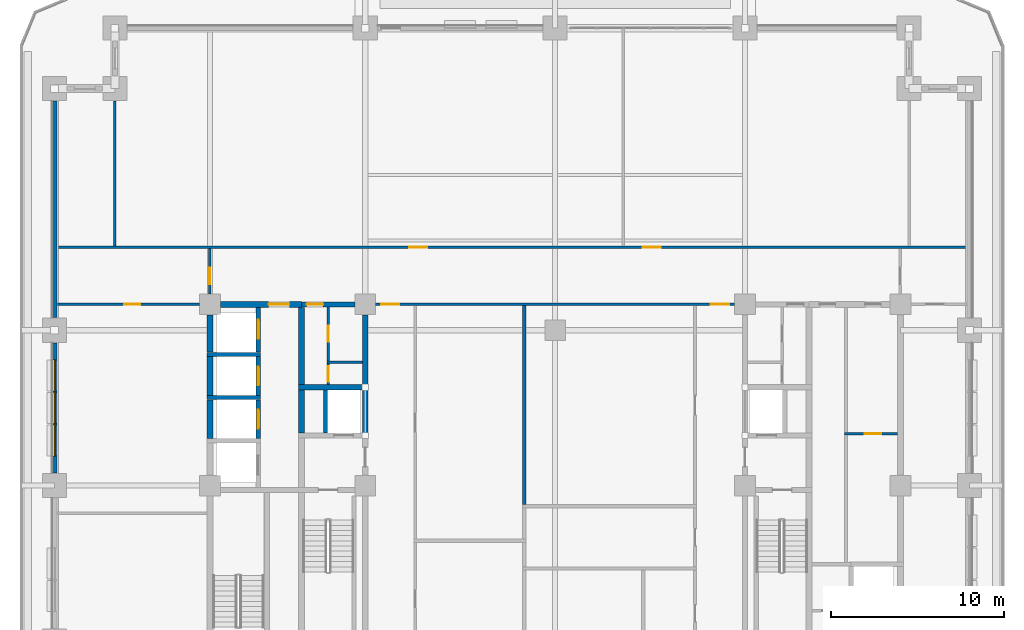
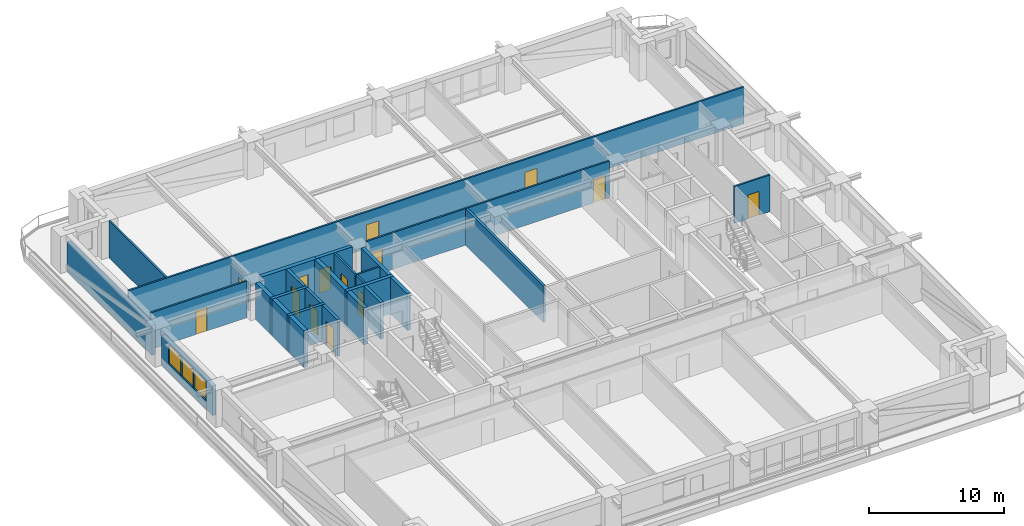
# One storey, part 10 of 20: 28 walls, 14 doors, 3 windows, 17 openings.
"""IFC4 building model written with IfcOpenShell, lengths in metres."""

import ifcopenshell
import ifcopenshell.guid

model = None  # the IFC model being written
_history = None  # IfcOwnerHistory: only IFC2X3 demands one
_inside = {}  # id of a spatial element -> (the spatial element, [elements in it])
_under = {}  # id of a project, library or spatial element -> (it, [spatial elements below it])
_declared = {}  # id of a project -> (the project, [libraries it declares])
_typed = {}  # id of a type object -> (the type object, [elements of that type])
_made_of = {}  # id of a material, layer set ... -> (it, [elements and type objects made of it])


def new_model(schema):
    """Start an empty IFC model of exactly this schema.

    Asked for "IFC4X3", IfcOpenShell would pick the latest addendum, in which some entities
    have other attributes; the version numbers below select the first issue.
    IFC2X3 requires an IfcOwnerHistory on every rooted entity: one is made here for all.
    """
    global model, _history
    if schema == "IFC4X3":
        model = ifcopenshell.file(schema_version=(4, 3, 0, 0))
    else:
        model = ifcopenshell.file(schema=schema)
    _inside.clear()
    _under.clear()
    _declared.clear()
    _typed.clear()
    _made_of.clear()
    _history = None
    if model.schema == "IFC2X3":
        org = make("IfcOrganization", Name="unknown")
        user = make(
            "IfcPersonAndOrganization",
            ThePerson=make("IfcPerson", FamilyName="unknown"),
            TheOrganization=org,
        )
        app = make(
            "IfcApplication",
            ApplicationDeveloper=org,
            Version="unknown",
            ApplicationFullName="unknown",
            ApplicationIdentifier="unknown",
        )
        _history = make(
            "IfcOwnerHistory",
            OwningUser=user,
            OwningApplication=app,
            ChangeAction="ADDED",
            CreationDate=0,
        )
    return model


def make(cls, **values):
    """One entity of the class cls with the attributes given. An attribute that is None is left unset."""
    return model.create_entity(
        cls, **{name: value for name, value in values.items() if value is not None}
    )


def rooted(cls, **values):
    """An entity with a GlobalId (a new one), such as an element, a storey or a relation."""
    return make(cls, GlobalId=ifcopenshell.guid.new(), OwnerHistory=_history, **values)


def si_unit(unit_type, name, prefix=None):
    """IfcSIUnit, for example si_unit("LENGTHUNIT", "METRE", prefix="MILLI")."""
    return make("IfcSIUnit", UnitType=unit_type, Prefix=prefix, Name=name)


def assignment(units):
    """IfcUnitAssignment: the units of a project."""
    return None if units is None else make("IfcUnitAssignment", Units=units)


def point(xyz):
    """IfcCartesianPoint."""
    return None if xyz is None else make("IfcCartesianPoint", Coordinates=xyz)


def direction(xyz):
    """IfcDirection."""
    return None if xyz is None else make("IfcDirection", DirectionRatios=xyz)


def frame(location, z_axis=None, x_axis=None):
    """IfcAxis2Placement3D, a coordinate frame: its origin and axes. An axis left out is left unset."""
    return make(
        "IfcAxis2Placement3D",
        Location=point(location),
        Axis=direction(z_axis),
        RefDirection=direction(x_axis),
    )


def frame_2d(location, x_axis=None):
    """IfcAxis2Placement2D, a coordinate frame in the plane: its origin and x axis."""
    return make(
        "IfcAxis2Placement2D", Location=point(location), RefDirection=direction(x_axis)
    )


def origin():
    """The frame at (0, 0, 0) with its axes left unset."""
    return frame((0.0, 0.0, 0.0))


def place(relative_to, where):
    """IfcLocalPlacement: puts the frame where relative to a parent placement (None: the world)."""
    return make(
        "IfcLocalPlacement", PlacementRelTo=relative_to, RelativePlacement=where
    )


def context(
    kind, dimensions, precision=None, world=None, true_north=None, identifier=None
):
    """IfcGeometricRepresentationContext, for example the 3D "Model" context."""
    return make(
        "IfcGeometricRepresentationContext",
        ContextIdentifier=identifier,
        ContextType=kind,
        CoordinateSpaceDimension=dimensions,
        Precision=precision,
        WorldCoordinateSystem=world,
        TrueNorth=true_north,
    )


def subcontext(parent, identifier, kind, view, scale=None):
    """IfcGeometricRepresentationSubContext, for example "Body" below "Model"."""
    return make(
        "IfcGeometricRepresentationSubContext",
        ContextIdentifier=identifier,
        ContextType=kind,
        ParentContext=parent,
        TargetScale=scale,
        TargetView=view,
    )


def project(units=None, contexts=None):
    """IfcProject with its units and contexts."""
    return rooted(
        "IfcProject",
        Name="project",
        RepresentationContexts=contexts,
        UnitsInContext=assignment(units),
    )


def spatial(cls, under=None, at=None, **own):
    """A site, building, storey or space (cls), placed at a placement, below another one or the project."""
    s = rooted(cls, ObjectPlacement=at, **own)
    if under is not None:
        _under.setdefault(under.id(), (under, []))[1].append(s)
    return s


def profile(cls, at=None, kind="AREA", **sizes):
    """A parametric profile (cls). Its sizes go by their IFC names, for example OverallWidth=200.0."""
    return make(cls, ProfileType=kind, Position=at, **sizes)


def rectangle(**sizes):
    """IfcRectangleProfileDef."""
    return profile("IfcRectangleProfileDef", **sizes)


def extrude(swept, where, along, depth):
    """IfcExtrudedAreaSolid: the profile swept, set in the frame where, extruded along a direction by depth."""
    return make(
        "IfcExtrudedAreaSolid",
        SweptArea=swept,
        Position=where,
        ExtrudedDirection=direction(along),
        Depth=depth,
    )


def shape(context_of_items, identifier, shape_type, items):
    """IfcShapeRepresentation: the items that make up one representation, for example the "Body"."""
    return make(
        "IfcShapeRepresentation",
        ContextOfItems=context_of_items,
        RepresentationIdentifier=identifier,
        RepresentationType=shape_type,
        Items=items,
    )


def material(Name=None, Category=None):
    """IfcMaterial."""
    return make("IfcMaterial", Name=Name, Category=Category)


def layer(
    of_material, thickness, ventilated=None, Name=None, Category=None, Priority=None
):
    """IfcMaterialLayer: one layer of a wall or slab, of a material (None: an air gap)."""
    return make(
        "IfcMaterialLayer",
        Material=of_material,
        LayerThickness=thickness,
        IsVentilated=ventilated,
        Name=Name,
        Category=Category,
        Priority=Priority,
    )


def layer_set(layers, Name=None):
    """IfcMaterialLayerSet."""
    return make("IfcMaterialLayerSet", MaterialLayers=layers, LayerSetName=Name)


def made_of(thing, what):
    """Note that an element or type object is made of a material, layer set ...; save() writes the relation."""
    if what is not None:
        _made_of.setdefault(what.id(), (what, []))[1].append(thing)
    return thing


def type_object(cls, material=None, **own):
    """A type object (cls), such as IfcWallType, which elements share."""
    return made_of(rooted(cls, **own), material)


def element(
    cls,
    number,
    at=None,
    inside=None,
    cuts=None,
    type_object=None,
    material=None,
    context=None,
    identifier="Body",
    shape_type=None,
    held_by="IfcProductDefinitionShape",
    body=None,
    shapes=None,
    **own,
):
    """One element of the class cls, such as IfcWall. Its Tag is "e" and its number.

    at: its placement. inside: the storey or other place that contains it. cuts: it is an
    opening in that element (IfcRelVoidsElement). A single representation is given by context,
    identifier, shape_type and body (its items); several are given by shapes. held_by: the class
    of the entity that holds the representations. save() writes the other relations.
    """
    e = rooted(cls, Tag="e%d" % number, ObjectPlacement=at, **own)
    if body is not None:
        shapes = [shape(context, identifier, shape_type, body)]
    if shapes is not None:
        e.Representation = make(held_by, Representations=shapes)
    if inside is not None:
        _inside.setdefault(inside.id(), (inside, []))[1].append(e)
    if cuts is not None:
        rooted(
            "IfcRelVoidsElement", RelatingBuildingElement=cuts, RelatedOpeningElement=e
        )
    if type_object is not None:
        _typed.setdefault(type_object.id(), (type_object, []))[1].append(e)
    return made_of(e, material)


def fill(opening, filler):
    """IfcRelFillsElement: the door or window that sits in an opening."""
    return rooted(
        "IfcRelFillsElement",
        RelatingOpeningElement=opening,
        RelatedBuildingElement=filler,
    )


def aggregate(whole, parts):
    """IfcRelAggregates: a whole, such as a stair, and the parts it consists of."""
    return rooted("IfcRelAggregates", RelatingObject=whole, RelatedObjects=parts)


def save(model, path):
    """Write the relations noted so far, then the file.

    IfcRelAggregates (storeys below a building ...), IfcRelContainedInSpatialStructure (elements
    in a storey), IfcRelDefinesByType, IfcRelAssociatesMaterial and IfcRelDeclares: one each for
    every whole, place, type object, material and project.
    """
    for whole, parts in _under.values():
        aggregate(whole, parts)
    for where, things in _inside.values():
        rooted(
            "IfcRelContainedInSpatialStructure",
            RelatedElements=things,
            RelatingStructure=where,
        )
    for kind, things in _typed.values():
        rooted("IfcRelDefinesByType", RelatedObjects=things, RelatingType=kind)
    for what, things in _made_of.values():
        rooted("IfcRelAssociatesMaterial", RelatedObjects=things, RelatingMaterial=what)
    for by, libraries in _declared.values():
        rooted("IfcRelDeclares", RelatingContext=by, RelatedDefinitions=libraries)
    model.write(path)


model = new_model("IFC4")

# Units and contexts
model_context = context("Model", 3, precision=1e-05, world=origin(), true_north=direction((0.0, 1.0)))
body_context = subcontext(model_context, "Body", "Model", "MODEL_VIEW")
ifc_project = project(units=[si_unit("LENGTHUNIT", "METRE"), si_unit("AREAUNIT", "SQUARE_METRE"), si_unit("VOLUMEUNIT", "CUBIC_METRE"), si_unit("PLANEANGLEUNIT", "RADIAN"), si_unit("MASSUNIT", "GRAM", prefix="KILO")], contexts=[model_context])

# Site, building, storey
site_placement = place(None, origin())
site = spatial("IfcSite", under=ifc_project, at=site_placement, CompositionType="ELEMENT")
building_placement = place(site_placement, origin())
building = spatial("IfcBuilding", under=site, at=building_placement, Name="Zulmaris Gate Convention Tower", CompositionType="ELEMENT")
storey_placement = place(building_placement, frame((0.0, 0.0, 71.469970703125)))
storey = spatial("IfcBuildingStorey", under=building, at=storey_placement, Name="L17", CompositionType="ELEMENT", Elevation=71.469970703125)

# Walls
ifc_material_1 = material(Name="Concrete C50/60", Category="concrete")
ifc_layer_1 = layer(ifc_material_1, 0.25, Name="Concrete C50/60")
ifc_layer_set_1 = layer_set([ifc_layer_1], Name="Concrete C50/60")
wall_type_1 = type_object("IfcWallType", Name="CORE-250", PredefinedType="SOLIDWALL", material=ifc_layer_set_1)
for number, where, z_axis, x_axis, name in (
    (1, (-20.175048828125, 5.10009765625, 0.0), (0.0, 0.0, 1.0), (1.0, 0.0, 0.0), "WL-L17-012"),
    (2, (-20.175048828125, 7.60009765625, 0.0), (0.0, 0.0, 1.0), (1.0, 0.0, 0.0), "WL-L17-015"),
):
    element("IfcWall", number, at=place(storey_placement, frame(where, z_axis=z_axis, x_axis=x_axis)), inside=storey, type_object=wall_type_1, Name=name, PredefinedType="SOLIDWALL", context=body_context, shape_type="SweptSolid", body=[
        extrude(rectangle(XDim=3.10009765625, YDim=0.25, at=frame_2d((1.550048828125, 0.0))), origin(), (0.0, 0.0, 1.0), 3.320068359375),
    ])

# Wall, opening, door
wall_1_placement = place(storey_placement, frame((-17.199951171875, 2.72705078125, 0.0), z_axis=(0.0, 0.0, 1.0), x_axis=(0.0, 1.0, 0.0)))
wall_1 = element("IfcWall", 3, at=wall_1_placement, inside=storey, type_object=wall_type_1, Name="WL-L17-043", PredefinedType="SOLIDWALL", context=body_context, shape_type="SweptSolid", body=[
    extrude(rectangle(XDim=2.245849609375, YDim=0.25, at=frame_2d((1.123046875, 0.0))), origin(), (0.0, 0.0, 1.0), 3.320068359375),
])
opening_1_placement = place(wall_1_placement, frame((0.572998046875, 0.0, 0.0)))
opening_1 = element("IfcOpeningElement", 4, at=opening_1_placement, cuts=wall_1, Name="Opening D-06", PredefinedType="OPENING", context=body_context, shape_type="SweptSolid", body=[
    extrude(rectangle(XDim=1.10009765625, YDim=2.199951171875, at=frame_2d((0.550048828125, 1.10009765625))), frame((0.0, 0.135009765625, 0.0), z_axis=(0.0, -1.0, 0.0), x_axis=(1.0, 0.0, 0.0)), (0.0, 0.0, 1.0), 0.27001953125),
])
ifc_material_2 = material(Name="Brushed Stainless Steel", Category="steel")
door_type_1 = type_object("IfcDoorType", Name="LD-1100", OperationType="NOTDEFINED", PredefinedType="DOOR", material=ifc_material_2)
door_1_placement = place(opening_1_placement, origin())
door_1 = element("IfcDoor", 5, at=door_1_placement, inside=storey, type_object=door_type_1, Name="L17 Lift Landing Door LP-02 16", OperationType="SLIDING_TO_LEFT", OverallHeight=2.199951171875, OverallWidth=1.10009765625, PredefinedType="DOOR", context=body_context, shape_type="SweptSolid", body=[
    extrude(rectangle(XDim=1.10009765625, YDim=2.199951171875, at=frame_2d((0.550048828125, 1.10009765625))), frame((0.0, 0.02490234375, 0.0), z_axis=(0.0, -1.0, 0.0), x_axis=(1.0, 0.0, 0.0)), (0.0, 0.0, 1.0), 0.050048828125),
])
fill(opening_1, door_1)

wall_2_placement = place(storey_placement, frame((-17.199951171875, 5.22705078125, 0.0), z_axis=(0.0, 0.0, 1.0), x_axis=(0.0, 1.0, 0.0)))
wall_2 = element("IfcWall", 6, at=wall_2_placement, inside=storey, type_object=wall_type_1, Name="WL-L17-044", PredefinedType="SOLIDWALL", context=body_context, shape_type="SweptSolid", body=[
    extrude(rectangle(XDim=2.245849609375, YDim=0.25, at=frame_2d((1.123046875, 0.0))), origin(), (0.0, 0.0, 1.0), 3.320068359375),
])
opening_2_placement = place(wall_2_placement, frame((0.572998046875, 0.0, 0.0)))
opening_2 = element("IfcOpeningElement", 7, at=opening_2_placement, cuts=wall_2, Name="Opening D-06", PredefinedType="OPENING", context=body_context, shape_type="SweptSolid", body=[
    extrude(rectangle(XDim=1.10009765625, YDim=2.199951171875, at=frame_2d((0.550048828125, 1.10009765625))), frame((0.0, 0.135009765625, 0.0), z_axis=(0.0, -1.0, 0.0), x_axis=(1.0, 0.0, 0.0)), (0.0, 0.0, 1.0), 0.27001953125),
])
door_2_placement = place(opening_2_placement, origin())
door_2 = element("IfcDoor", 8, at=door_2_placement, inside=storey, type_object=door_type_1, Name="L17 Lift Landing Door LP-03 17", OperationType="SLIDING_TO_LEFT", OverallHeight=2.199951171875, OverallWidth=1.10009765625, PredefinedType="DOOR", context=body_context, shape_type="SweptSolid", body=[
    extrude(rectangle(XDim=1.10009765625, YDim=2.199951171875, at=frame_2d((0.550048828125, 1.10009765625))), frame((0.0, 0.02490234375, 0.0), z_axis=(0.0, -1.0, 0.0), x_axis=(1.0, 0.0, 0.0)), (0.0, 0.0, 1.0), 0.050048828125),
])
fill(opening_2, door_2)

wall_3_placement = place(storey_placement, frame((-17.199951171875, 7.72705078125, 0.0), z_axis=(0.0, 0.0, 1.0), x_axis=(0.0, 1.0, 0.0)))
wall_3 = element("IfcWall", 9, at=wall_3_placement, inside=storey, type_object=wall_type_1, Name="WL-L17-045", PredefinedType="SOLIDWALL", context=body_context, shape_type="SweptSolid", body=[
    extrude(rectangle(XDim=2.595947265625, YDim=0.25, at=frame_2d((1.2978515625, 0.0))), origin(), (0.0, 0.0, 1.0), 3.320068359375),
])
opening_3_placement = place(wall_3_placement, frame((0.77294921875, 0.0, 0.0)))
opening_3 = element("IfcOpeningElement", 10, at=opening_3_placement, cuts=wall_3, Name="Opening D-06", PredefinedType="OPENING", context=body_context, shape_type="SweptSolid", body=[
    extrude(rectangle(XDim=1.10009765625, YDim=2.199951171875, at=frame_2d((0.550048828125, 1.10009765625))), frame((0.0, 0.135009765625, 0.0), z_axis=(0.0, -1.0, 0.0), x_axis=(1.0, 0.0, 0.0)), (0.0, 0.0, 1.0), 0.27001953125),
])
door_3_placement = place(opening_3_placement, origin())
door_3 = element("IfcDoor", 11, at=door_3_placement, inside=storey, type_object=door_type_1, Name="L17 Lift Landing Door LP-04 18", OperationType="SLIDING_TO_LEFT", OverallHeight=2.199951171875, OverallWidth=1.10009765625, PredefinedType="DOOR", context=body_context, shape_type="SweptSolid", body=[
    extrude(rectangle(XDim=1.10009765625, YDim=2.199951171875, at=frame_2d((0.550048828125, 1.10009765625))), frame((0.0, 0.02490234375, 0.0), z_axis=(0.0, -1.0, 0.0), x_axis=(1.0, 0.0, 0.0)), (0.0, 0.0, 1.0), 0.050048828125),
])
fill(opening_3, door_3)

# Walls
wall_4_placement = place(storey_placement, frame((-13.300048828125, 3.052001953125, 0.0), z_axis=(0.0, 0.0, 1.0), x_axis=(0.0, 1.0, 0.0)))
element("IfcWall", 12, at=wall_4_placement, inside=storey, type_object=wall_type_1, Name="WL-L17-051", PredefinedType="SOLIDWALL", context=body_context, shape_type="SweptSolid", body=[
    extrude(rectangle(XDim=2.49609375, YDim=0.25, at=frame_2d((1.248046875, 0.0))), origin(), (0.0, 0.0, 1.0), 3.320068359375),
])
ifc_layer_2 = layer(ifc_material_1, 0.300048828125, Name="Concrete C50/60")
ifc_layer_set_2 = layer_set([ifc_layer_2], Name="Concrete C50/60")
wall_type_2 = type_object("IfcWallType", Name="CORE-300", PredefinedType="SHEAR", material=ifc_layer_set_2)
wall_5_placement = place(storey_placement, frame((-14.875, 5.699951171875, 0.0), z_axis=(0.0, 0.0, 1.0), x_axis=(1.0, 0.0, 0.0)))
element("IfcWall", 13, at=wall_5_placement, inside=storey, type_object=wall_type_2, Name="WL-L17-013", PredefinedType="SHEAR", context=body_context, shape_type="SweptSolid", body=[
    extrude(rectangle(XDim=4.02490234375, YDim=0.300048828125, at=frame_2d((2.012451171875, 0.0))), origin(), (0.0, 0.0, 1.0), 3.320068359375),
])

# Wall, opening, door
wall_6_placement = place(storey_placement, frame((-14.699951171875, 10.5, 0.0), z_axis=(0.0, 0.0, 1.0), x_axis=(1.0, 0.0, 0.0)))
wall_6 = element("IfcWall", 14, at=wall_6_placement, inside=storey, type_object=wall_type_2, Name="WL-L17-017", PredefinedType="SHEAR", context=body_context, shape_type="SweptSolid", body=[
    extrude(rectangle(XDim=3.095947265625, YDim=0.300048828125, at=frame_2d((1.5478515625, 0.0))), origin(), (0.0, 0.0, 1.0), 3.320068359375),
])
opening_4_placement = place(wall_6_placement, frame((0.304931640625, 0.0, 0.0)))
opening_4 = element("IfcOpeningElement", 15, at=opening_4_placement, cuts=wall_6, Name="Opening D-11", PredefinedType="OPENING", context=body_context, shape_type="SweptSolid", body=[
    extrude(rectangle(XDim=0.949951171875, YDim=2.14990234375, at=frame_2d((0.47509765625, 1.074951171875))), frame((0.0, 0.16015625, 0.0), z_axis=(0.0, -1.0, 0.0), x_axis=(1.0, 0.0, 0.0)), (0.0, 0.0, 1.0), 0.320068359375),
])
ifc_material_3 = material(Name="Fire-Rated Timber", Category="wood")
door_type_2 = type_object("IfcDoorType", Name="DR-950-FD", OperationType="NOTDEFINED", PredefinedType="DOOR", material=ifc_material_3)
door_4_placement = place(opening_4_placement, origin())
door_4 = element("IfcDoor", 16, at=door_4_placement, inside=storey, type_object=door_type_2, Name="L17 Core West Passage Door 07", OperationType="SINGLE_SWING_RIGHT", OverallHeight=2.14990234375, OverallWidth=0.949951171875, PredefinedType="DOOR", context=body_context, shape_type="SweptSolid", body=[
    extrude(rectangle(XDim=0.949951171875, YDim=2.14990234375, at=frame_2d((0.47509765625, 1.074951171875))), frame((0.0, 0.02490234375, 0.0), z_axis=(0.0, -1.0, 0.0), x_axis=(1.0, 0.0, 0.0)), (0.0, 0.0, 1.0), 0.050048828125),
])
fill(opening_4, door_4)

# Walls
wall_7_placement = place(storey_placement, frame((-11.0, 3.052001953125, 0.0), z_axis=(0.0, 0.0, 1.0), x_axis=(0.0, 1.0, 0.0)))
element("IfcWall", 17, at=wall_7_placement, inside=storey, type_object=wall_type_2, Name="WL-L17-055", PredefinedType="SHEAR", context=body_context, shape_type="SweptSolid", body=[
    extrude(rectangle(XDim=2.49609375, YDim=0.300048828125, at=frame_2d((1.248046875, 0.0))), origin(), (0.0, 0.0, 1.0), 3.320068359375),
])
wall_8_placement = place(storey_placement, frame((-11.0, 5.85205078125, 0.0), z_axis=(0.0, 0.0, 1.0), x_axis=(0.0, 1.0, 0.0)))
element("IfcWall", 18, at=wall_8_placement, inside=storey, type_object=wall_type_2, Name="WL-L17-056", PredefinedType="SHEAR", context=body_context, shape_type="SweptSolid", body=[
    extrude(rectangle(XDim=4.0439453125, YDim=0.300048828125, at=frame_2d((2.02197265625, 0.0))), origin(), (0.0, 0.0, 1.0), 3.320068359375),
])

# Wall, opening, door
ifc_material_4 = material(Name="Concrete C55/67", Category="concrete")
ifc_layer_3 = layer(ifc_material_4, 0.35009765625, Name="Concrete C55/67")
ifc_layer_set_3 = layer_set([ifc_layer_3], Name="Concrete C55/67")
wall_type_3 = type_object("IfcWallType", Name="CORE-350", PredefinedType="SHEAR", material=ifc_layer_set_3)
wall_9_placement = place(storey_placement, frame((-19.39599609375, 10.5, 0.0), z_axis=(0.0, 0.0, 1.0), x_axis=(1.0, 0.0, 0.0)))
wall_9 = element("IfcWall", 19, at=wall_9_placement, inside=storey, type_object=wall_type_3, Name="WL-L17-016", PredefinedType="SHEAR", context=body_context, shape_type="SweptSolid", body=[
    extrude(rectangle(XDim=4.696044921875, YDim=0.35009765625, at=frame_2d((2.34814453125, 0.0))), origin(), (0.0, 0.0, 1.0), 3.320068359375),
])
opening_5_placement = place(wall_9_placement, frame((2.7958984375, 0.0, 0.0)))
opening_5 = element("IfcOpeningElement", 20, at=opening_5_placement, cuts=wall_9, Name="Opening D-13", PredefinedType="OPENING", context=body_context, shape_type="SweptSolid", body=[
    extrude(rectangle(XDim=1.199951171875, YDim=2.14990234375, at=frame_2d((0.60009765625, 1.074951171875))), frame((0.0, 0.18505859375, 0.0), z_axis=(0.0, -1.0, 0.0), x_axis=(1.0, 0.0, 0.0)), (0.0, 0.0, 1.0), 0.3701171875),
])
ifc_material_5 = material(Name="Fire-Rated Steel", Category="steel")
door_type_3 = type_object("IfcDoorType", Name="DR-1200-FD", OperationType="NOTDEFINED", PredefinedType="DOOR", material=ifc_material_5)
door_5_placement = place(opening_5_placement, origin())
door_5 = element("IfcDoor", 21, at=door_5_placement, inside=storey, type_object=door_type_3, Name="L17 Low-Rise Lift Lobby Door 14", OperationType="SINGLE_SWING_LEFT", OverallHeight=2.14990234375, OverallWidth=1.199951171875, PredefinedType="DOOR", context=body_context, shape_type="SweptSolid", body=[
    extrude(rectangle(XDim=1.199951171875, YDim=2.14990234375, at=frame_2d((0.60009765625, 1.074951171875))), frame((0.0, 0.02490234375, 0.0), z_axis=(0.0, -1.0, 0.0), x_axis=(1.0, 0.0, 0.0)), (0.0, 0.0, 1.0), 0.050048828125),
])
fill(opening_5, door_5)

# Walls
for number, where, z_axis, x_axis, name in (
    (22, (-20.0, 2.72705078125, 0.0), (0.0, 0.0, 1.0), (0.0, 1.0, 0.0), "WL-L17-039"),
    (23, (-20.0, 5.22705078125, 0.0), (0.0, 0.0, 1.0), (0.0, 1.0, 0.0), "WL-L17-040"),
):
    element("IfcWall", number, at=place(storey_placement, frame(where, z_axis=z_axis, x_axis=x_axis)), inside=storey, type_object=wall_type_3, Name=name, PredefinedType="SHEAR", context=body_context, shape_type="SweptSolid", body=[
        extrude(rectangle(XDim=2.245849609375, YDim=0.35009765625, at=frame_2d((1.123046875, 0.0))), origin(), (0.0, 0.0, 1.0), 3.320068359375),
    ])
wall_10_placement = place(storey_placement, frame((-20.0, 7.72705078125, 0.0), z_axis=(0.0, 0.0, 1.0), x_axis=(0.0, 1.0, 0.0)))
element("IfcWall", 24, at=wall_10_placement, inside=storey, type_object=wall_type_3, Name="WL-L17-041", PredefinedType="SHEAR", context=body_context, shape_type="SweptSolid", body=[
    extrude(rectangle(XDim=2.1689453125, YDim=0.35009765625, at=frame_2d((1.08447265625, 0.0))), origin(), (0.0, 0.0, 1.0), 3.320068359375),
])
wall_11_placement = place(storey_placement, frame((-14.699951171875, 3.052001953125, 0.0), z_axis=(0.0, 0.0, 1.0), x_axis=(0.0, 1.0, 0.0)))
element("IfcWall", 25, at=wall_11_placement, inside=storey, type_object=wall_type_3, Name="WL-L17-049", PredefinedType="SHEAR", context=body_context, shape_type="SweptSolid", body=[
    extrude(rectangle(XDim=2.49609375, YDim=0.35009765625, at=frame_2d((1.248046875, 0.0))), origin(), (0.0, 0.0, 1.0), 3.320068359375),
])
wall_12_placement = place(storey_placement, frame((-14.699951171875, 5.85205078125, 0.0), z_axis=(0.0, 0.0, 1.0), x_axis=(0.0, 1.0, 0.0)))
element("IfcWall", 26, at=wall_12_placement, inside=storey, type_object=wall_type_3, Name="WL-L17-050", PredefinedType="SHEAR", context=body_context, shape_type="SweptSolid", body=[
    extrude(rectangle(XDim=4.470947265625, YDim=0.35009765625, at=frame_2d((2.2353515625, 0.0))), origin(), (0.0, 0.0, 1.0), 3.320068359375),
])

# Wall, opening, door
ifc_material_6 = material(Name="Gypsum Metal Stud Partition")
ifc_layer_4 = layer(ifc_material_6, 0.14990234375, Name="Gypsum Metal Stud Partition")
ifc_layer_set_4 = layer_set([ifc_layer_4], Name="Gypsum Metal Stud Partition")
wall_type_4 = type_object("IfcWallType", Name="PART-150", PredefinedType="PARTITIONING", material=ifc_layer_set_4)
wall_13_placement = place(storey_placement, frame((16.77490234375, 3.0, 0.0), z_axis=(0.0, 0.0, 1.0), x_axis=(1.0, 0.0, 0.0)))
wall_13 = element("IfcWall", 27, at=wall_13_placement, inside=storey, type_object=wall_type_4, Name="WL-L17-030", PredefinedType="PARTITIONING", context=body_context, shape_type="SweptSolid", body=[
    extrude(rectangle(XDim=3.047119140625, YDim=0.14990234375, at=frame_2d((1.5234375, 0.0))), origin(), (0.0, 0.0, 1.0), 3.320068359375),
])
opening_6_placement = place(wall_13_placement, frame((1.169921875, 0.0, 0.0)))
opening_6 = element("IfcOpeningElement", 28, at=opening_6_placement, cuts=wall_13, Name="Opening D-11", PredefinedType="OPENING", context=body_context, shape_type="SweptSolid", body=[
    extrude(rectangle(XDim=0.949951171875, YDim=2.14990234375, at=frame_2d((0.47509765625, 1.074951171875))), frame((0.0, 0.0849609375, 0.0), z_axis=(0.0, -1.0, 0.0), x_axis=(1.0, 0.0, 0.0)), (0.0, 0.0, 1.0), 0.169921875),
])
door_6_placement = place(opening_6_placement, origin())
door_6 = element("IfcDoor", 29, at=door_6_placement, inside=storey, type_object=door_type_2, Name="L17 East Equipment Door 23", OperationType="SINGLE_SWING_RIGHT", OverallHeight=2.14990234375, OverallWidth=0.949951171875, PredefinedType="DOOR", context=body_context, shape_type="SweptSolid", body=[
    extrude(rectangle(XDim=0.949951171875, YDim=2.14990234375, at=frame_2d((0.47509765625, 1.074951171875))), frame((0.0, 0.02490234375, 0.0), z_axis=(0.0, -1.0, 0.0), x_axis=(1.0, 0.0, 0.0)), (0.0, 0.0, 1.0), 0.050048828125),
])
fill(opening_6, door_6)

# Wall
wall_14_placement = place(storey_placement, frame((-13.22509765625, 7.14990234375, 0.0), z_axis=(0.0, 0.0, 1.0), x_axis=(1.0, 0.0, 0.0)))
element("IfcWall", 30, at=wall_14_placement, inside=storey, type_object=wall_type_4, Name="WL-L17-031", PredefinedType="PARTITIONING", context=body_context, shape_type="SweptSolid", body=[
    extrude(rectangle(XDim=2.072021484375, YDim=0.14990234375, at=frame_2d((1.0361328125, 0.0))), origin(), (0.0, 0.0, 1.0), 3.320068359375),
])

# Wall, opening, door
wall_15_placement = place(storey_placement, frame((-28.8349609375, 10.5, 0.0), z_axis=(0.0, 0.0, 1.0), x_axis=(1.0, 0.0, 0.0)))
wall_15 = element("IfcWall", 31, at=wall_15_placement, inside=storey, type_object=wall_type_4, Name="WL-L17-033", PredefinedType="PARTITIONING", context=body_context, shape_type="SweptSolid", body=[
    extrude(rectangle(XDim=8.22900390625, YDim=0.14990234375, at=frame_2d((4.114501953125, 0.0))), origin(), (0.0, 0.0, 1.0), 3.320068359375),
])
opening_7_placement = place(wall_15_placement, frame((3.860107421875, 0.0, 0.0)))
opening_7 = element("IfcOpeningElement", 32, at=opening_7_placement, cuts=wall_15, Name="Opening D-11", PredefinedType="OPENING", context=body_context, shape_type="SweptSolid", body=[
    extrude(rectangle(XDim=0.949951171875, YDim=2.14990234375, at=frame_2d((0.47509765625, 1.074951171875))), frame((0.0, 0.0849609375, 0.0), z_axis=(0.0, -1.0, 0.0), x_axis=(1.0, 0.0, 0.0)), (0.0, 0.0, 1.0), 0.169921875),
])
door_7_placement = place(opening_7_placement, origin())
door_7 = element("IfcDoor", 33, at=door_7_placement, inside=storey, type_object=door_type_2, Name="L17 NW Partner Door 42", OperationType="SINGLE_SWING_LEFT", OverallHeight=2.14990234375, OverallWidth=0.949951171875, PredefinedType="DOOR", context=body_context, shape_type="SweptSolid", body=[
    extrude(rectangle(XDim=0.949951171875, YDim=2.14990234375, at=frame_2d((0.47509765625, 1.074951171875))), frame((0.0, 0.02490234375, 0.0), z_axis=(0.0, -1.0, 0.0), x_axis=(1.0, 0.0, 0.0)), (0.0, 0.0, 1.0), 0.050048828125),
])
fill(opening_7, door_7)

# Wall, openings, doors
wall_16_placement = place(storey_placement, frame((-10.39404296875, 10.5, 0.0), z_axis=(0.0, 0.0, 1.0), x_axis=(1.0, 0.0, 0.0)))
wall_16 = element("IfcWall", 34, at=wall_16_placement, inside=storey, type_object=wall_type_4, Name="WL-L17-034", PredefinedType="PARTITIONING", context=body_context, shape_type="SweptSolid", body=[
    extrude(rectangle(XDim=20.7880859375, YDim=0.14990234375, at=frame_2d((10.39404296875, 0.0))), origin(), (0.0, 0.0, 1.0), 3.320068359375),
])
opening_8_placement = place(wall_16_placement, frame((0.319091796875, 0.0, 0.0)))
opening_8 = element("IfcOpeningElement", 35, at=opening_8_placement, cuts=wall_16, Name="Opening D-09", PredefinedType="OPENING", context=body_context, shape_type="SweptSolid", body=[
    extrude(rectangle(XDim=1.050048828125, YDim=2.14990234375, at=frame_2d((0.52490234375, 1.074951171875))), frame((0.0, 0.0849609375, 0.0), z_axis=(0.0, -1.0, 0.0), x_axis=(1.0, 0.0, 0.0)), (0.0, 0.0, 1.0), 0.169921875),
])
opening_9_placement = place(wall_16_placement, frame((19.4189453125, 0.0, 0.0)))
opening_9 = element("IfcOpeningElement", 36, at=opening_9_placement, cuts=wall_16, Name="Opening D-09", PredefinedType="OPENING", context=body_context, shape_type="SweptSolid", body=[
    extrude(rectangle(XDim=1.050048828125, YDim=2.14990234375, at=frame_2d((0.52490234375, 1.074951171875))), frame((0.0, 0.0849609375, 0.0), z_axis=(0.0, -1.0, 0.0), x_axis=(1.0, 0.0, 0.0)), (0.0, 0.0, 1.0), 0.169921875),
])
door_type_4 = type_object("IfcDoorType", Name="DR-1050-FD", OperationType="NOTDEFINED", PredefinedType="DOOR", material=ifc_material_5)
door_8_placement = place(opening_8_placement, origin())
door_8 = element("IfcDoor", 37, at=door_8_placement, inside=storey, type_object=door_type_4, Name="L17 NW Spine Link Door 24", OperationType="SINGLE_SWING_LEFT", OverallHeight=2.14990234375, OverallWidth=1.050048828125, PredefinedType="DOOR", context=body_context, shape_type="SweptSolid", body=[
    extrude(rectangle(XDim=1.050048828125, YDim=2.14990234375, at=frame_2d((0.52490234375, 1.074951171875))), frame((0.0, 0.02490234375, 0.0), z_axis=(0.0, -1.0, 0.0), x_axis=(1.0, 0.0, 0.0)), (0.0, 0.0, 1.0), 0.050048828125),
])
fill(opening_8, door_8)
door_9_placement = place(opening_9_placement, origin())
door_9 = element("IfcDoor", 38, at=door_9_placement, inside=storey, type_object=door_type_4, Name="L17 NE Spine Link Door 26", OperationType="SINGLE_SWING_LEFT", OverallHeight=2.14990234375, OverallWidth=1.050048828125, PredefinedType="DOOR", context=body_context, shape_type="SweptSolid", body=[
    extrude(rectangle(XDim=1.050048828125, YDim=2.14990234375, at=frame_2d((0.52490234375, 1.074951171875))), frame((0.0, 0.02490234375, 0.0), z_axis=(0.0, -1.0, 0.0), x_axis=(1.0, 0.0, 0.0)), (0.0, 0.0, 1.0), 0.050048828125),
])
fill(opening_9, door_9)

wall_17_placement = place(storey_placement, frame((-28.8349609375, 13.800048828125, 0.0), z_axis=(0.0, 0.0, 1.0), x_axis=(1.0, 0.0, 0.0)))
wall_17 = element("IfcWall", 39, at=wall_17_placement, inside=storey, type_object=wall_type_4, Name="WL-L17-036", PredefinedType="PARTITIONING", context=body_context, shape_type="SweptSolid", body=[
    extrude(rectangle(XDim=52.669921875, YDim=0.14990234375, at=frame_2d((26.3349609375, 0.0))), origin(), (0.0, 0.0, 1.0), 3.320068359375),
])
opening_10_placement = place(wall_17_placement, frame((20.3798828125, 0.0, 0.0)))
opening_10 = element("IfcOpeningElement", 40, at=opening_10_placement, cuts=wall_17, Name="Opening D-09", PredefinedType="OPENING", context=body_context, shape_type="SweptSolid", body=[
    extrude(rectangle(XDim=1.050048828125, YDim=2.14990234375, at=frame_2d((0.52490234375, 1.074951171875))), frame((0.0, 0.0849609375, 0.0), z_axis=(0.0, -1.0, 0.0), x_axis=(1.0, 0.0, 0.0)), (0.0, 0.0, 1.0), 0.169921875),
])
opening_11_placement = place(wall_17_placement, frame((33.909912109375, 0.0, 0.0)))
opening_11 = element("IfcOpeningElement", 41, at=opening_11_placement, cuts=wall_17, Name="Opening D-09", PredefinedType="OPENING", context=body_context, shape_type="SweptSolid", body=[
    extrude(rectangle(XDim=1.050048828125, YDim=2.14990234375, at=frame_2d((0.52490234375, 1.074951171875))), frame((0.0, 0.0849609375, 0.0), z_axis=(0.0, -1.0, 0.0), x_axis=(1.0, 0.0, 0.0)), (0.0, 0.0, 1.0), 0.169921875),
])
door_10_placement = place(opening_10_placement, origin())
door_10 = element("IfcDoor", 42, at=door_10_placement, inside=storey, type_object=door_type_4, Name="L17 Research Reading Room Door 28", OperationType="SINGLE_SWING_LEFT", OverallHeight=2.14990234375, OverallWidth=1.050048828125, PredefinedType="DOOR", context=body_context, shape_type="SweptSolid", body=[
    extrude(rectangle(XDim=1.050048828125, YDim=2.14990234375, at=frame_2d((0.52490234375, 1.074951171875))), frame((0.0, 0.02490234375, 0.0), z_axis=(0.0, -1.0, 0.0), x_axis=(1.0, 0.0, 0.0)), (0.0, 0.0, 1.0), 0.050048828125),
])
fill(opening_10, door_10)
door_11_placement = place(opening_11_placement, origin())
door_11 = element("IfcDoor", 43, at=door_11_placement, inside=storey, type_object=door_type_4, Name="L17 Quiet Focus Study Door 29", OperationType="SINGLE_SWING_RIGHT", OverallHeight=2.14990234375, OverallWidth=1.050048828125, PredefinedType="DOOR", context=body_context, shape_type="SweptSolid", body=[
    extrude(rectangle(XDim=1.050048828125, YDim=2.14990234375, at=frame_2d((0.52490234375, 1.074951171875))), frame((0.0, 0.02490234375, 0.0), z_axis=(0.0, -1.0, 0.0), x_axis=(1.0, 0.0, 0.0)), (0.0, 0.0, 1.0), 0.050048828125),
])
fill(opening_11, door_11)

# Wall
wall_18_placement = place(storey_placement, frame((-25.5, 13.8779296875, 0.0), z_axis=(0.0, 0.0, 1.0), x_axis=(0.0, 1.0, 0.0)))
element("IfcWall", 44, at=wall_18_placement, inside=storey, type_object=wall_type_4, Name="WL-L17-073", PredefinedType="PARTITIONING", context=body_context, shape_type="SweptSolid", body=[
    extrude(rectangle(XDim=8.416015625, YDim=0.14990234375, at=frame_2d((4.2080078125, 0.0))), origin(), (0.0, 0.0, 1.0), 3.320068359375),
])

# Wall, opening, door
wall_19_placement = place(storey_placement, frame((-20.0, 11.10595703125, 0.0), z_axis=(0.0, 0.0, 1.0), x_axis=(0.0, 1.0, 0.0)))
wall_19 = element("IfcWall", 45, at=wall_19_placement, inside=storey, type_object=wall_type_4, Name="WL-L17-075", PredefinedType="PARTITIONING", context=body_context, shape_type="SweptSolid", body=[
    extrude(rectangle(XDim=2.615966796875, YDim=0.14990234375, at=frame_2d((1.30810546875, 0.0))), origin(), (0.0, 0.0, 1.0), 2.659912109375),
])
opening_12_placement = place(wall_19_placement, frame((0.569091796875, 0.0, 0.0)))
opening_12 = element("IfcOpeningElement", 46, at=opening_12_placement, cuts=wall_19, Name="Opening D-11", PredefinedType="OPENING", context=body_context, shape_type="SweptSolid", body=[
    extrude(rectangle(XDim=0.949951171875, YDim=2.14990234375, at=frame_2d((0.47509765625, 1.074951171875))), frame((0.0, 0.0849609375, 0.0), z_axis=(0.0, -1.0, 0.0), x_axis=(1.0, 0.0, 0.0)), (0.0, 0.0, 1.0), 0.169921875),
])
door_12_placement = place(opening_12_placement, origin())
door_12 = element("IfcDoor", 47, at=door_12_placement, inside=storey, type_object=door_type_2, Name="L17 NW Spur Door 40", OperationType="SINGLE_SWING_LEFT", OverallHeight=2.14990234375, OverallWidth=0.949951171875, PredefinedType="DOOR", context=body_context, shape_type="SweptSolid", body=[
    extrude(rectangle(XDim=0.949951171875, YDim=2.14990234375, at=frame_2d((0.47509765625, 1.074951171875))), frame((0.0, 0.02490234375, 0.0), z_axis=(0.0, -1.0, 0.0), x_axis=(1.0, 0.0, 0.0)), (0.0, 0.0, 1.0), 0.050048828125),
])
fill(opening_12, door_12)

wall_20_placement = place(storey_placement, frame((-13.14990234375, 5.85302734375, 0.0), z_axis=(0.0, 0.0, 1.0), x_axis=(0.0, 1.0, 0.0)))
wall_20 = element("IfcWall", 48, at=wall_20_placement, inside=storey, type_object=wall_type_4, Name="WL-L17-076", PredefinedType="PARTITIONING", context=body_context, shape_type="SweptSolid", body=[
    extrude(rectangle(XDim=1.218994140625, YDim=0.14990234375, at=frame_2d((0.609375, 0.0))), origin(), (0.0, 0.0, 1.0), 3.320068359375),
])
opening_13_placement = place(wall_20_placement, frame((0.1689453125, 0.0, 0.0)))
opening_13 = element("IfcOpeningElement", 49, at=opening_13_placement, cuts=wall_20, Name="Opening D-12", PredefinedType="OPENING", context=body_context, shape_type="SweptSolid", body=[
    extrude(rectangle(XDim=0.89990234375, YDim=2.14990234375, at=frame_2d((0.449951171875, 1.074951171875))), frame((0.0, 0.0849609375, 0.0), z_axis=(0.0, -1.0, 0.0), x_axis=(1.0, 0.0, 0.0)), (0.0, 0.0, 1.0), 0.169921875),
])
door_type_5 = type_object("IfcDoorType", Name="DR-900-FD", OperationType="NOTDEFINED", PredefinedType="DOOR", material=ifc_material_3)
door_13_placement = place(opening_13_placement, origin())
door_13 = element("IfcDoor", 50, at=door_13_placement, inside=storey, type_object=door_type_5, Name="L17 Stationery Closet Door 08", OperationType="SINGLE_SWING_LEFT", OverallHeight=2.14990234375, OverallWidth=0.89990234375, PredefinedType="DOOR", context=body_context, shape_type="SweptSolid", body=[
    extrude(rectangle(XDim=0.89990234375, YDim=2.14990234375, at=frame_2d((0.449951171875, 1.074951171875))), frame((0.0, 0.02490234375, 0.0), z_axis=(0.0, -1.0, 0.0), x_axis=(1.0, 0.0, 0.0)), (0.0, 0.0, 1.0), 0.050048828125),
])
fill(opening_13, door_13)

wall_21_placement = place(storey_placement, frame((-13.14990234375, 7.22802734375, 0.0), z_axis=(0.0, 0.0, 1.0), x_axis=(0.0, 1.0, 0.0)))
wall_21 = element("IfcWall", 51, at=wall_21_placement, inside=storey, type_object=wall_type_4, Name="WL-L17-077", PredefinedType="PARTITIONING", context=body_context, shape_type="SweptSolid", body=[
    extrude(rectangle(XDim=3.118896484375, YDim=0.14990234375, at=frame_2d((1.5595703125, 0.0))), origin(), (0.0, 0.0, 1.0), 3.320068359375),
])
opening_14_placement = place(wall_21_placement, frame((1.096923828125, 0.0, 0.0)))
opening_14 = element("IfcOpeningElement", 52, at=opening_14_placement, cuts=wall_21, Name="Opening D-11", PredefinedType="OPENING", context=body_context, shape_type="SweptSolid", body=[
    extrude(rectangle(XDim=0.949951171875, YDim=2.14990234375, at=frame_2d((0.47509765625, 1.074951171875))), frame((0.0, 0.0849609375, 0.0), z_axis=(0.0, -1.0, 0.0), x_axis=(1.0, 0.0, 0.0)), (0.0, 0.0, 1.0), 0.169921875),
])
door_14_placement = place(opening_14_placement, origin())
door_14 = element("IfcDoor", 53, at=door_14_placement, inside=storey, type_object=door_type_2, Name="L17 Meter Closet Door 09", OperationType="SINGLE_SWING_RIGHT", OverallHeight=2.14990234375, OverallWidth=0.949951171875, PredefinedType="DOOR", context=body_context, shape_type="SweptSolid", body=[
    extrude(rectangle(XDim=0.949951171875, YDim=2.14990234375, at=frame_2d((0.47509765625, 1.074951171875))), frame((0.0, 0.02490234375, 0.0), z_axis=(0.0, -1.0, 0.0), x_axis=(1.0, 0.0, 0.0)), (0.0, 0.0, 1.0), 0.050048828125),
])
fill(opening_14, door_14)

# Wall
ifc_material_7 = material(Name="Autoclaved Aerated Concrete Block and Plasterboard", Category="concrete")
ifc_layer_5 = layer(ifc_material_7, 0.199951171875, Name="Autoclaved Aerated Concrete Block and Plasterboard")
ifc_layer_set_5 = layer_set([ifc_layer_5], Name="Autoclaved Aerated Concrete Block and Plasterboard")
wall_type_5 = type_object("IfcWallType", Name="PART-200", PredefinedType="PARTITIONING", material=ifc_layer_set_5)
wall_22_placement = place(storey_placement, frame((-1.800048828125, -1.096923828125, 0.0), z_axis=(0.0, 0.0, 1.0), x_axis=(0.0, 1.0, 0.0)))
element("IfcWall", 54, at=wall_22_placement, inside=storey, type_object=wall_type_5, Name="WL-L17-084", PredefinedType="PARTITIONING", context=body_context, shape_type="SweptSolid", body=[
    extrude(rectangle(XDim=11.51904296875, YDim=0.199951171875, at=frame_2d((5.759521484375, 0.0))), origin(), (0.0, 0.0, 1.0), 3.320068359375),
])

# Wall, openings, windows
ifc_material_8 = material(Name="Precast concrete C40/50", Category="concrete")
ifc_layer_6 = layer(ifc_material_8, 0.300048828125, Name="Precast concrete C40/50")
ifc_layer_set_6 = layer_set([ifc_layer_6], Name="Precast concrete C40/50")
wall_type_6 = type_object("IfcWallType", Name="PRECAST-PIER-300", PredefinedType="STANDARD", material=ifc_layer_set_6)
wall_23_placement = place(storey_placement, frame((-29.0, 8.27001953125, 0.0), z_axis=(0.0, 0.0, 1.0), x_axis=(0.0, -1.0, 0.0)))
wall_23 = element("IfcWall", 55, at=wall_23_placement, inside=storey, type_object=wall_type_6, Name="EW-L17-W-2_0", PredefinedType="STANDARD", context=body_context, shape_type="SweptSolid", body=[
    extrude(rectangle(XDim=7.5400390625, YDim=0.300048828125, at=frame_2d((3.77001953125, 0.0))), origin(), (0.0, 0.0, 1.0), 2.7119140625),
])
opening_15_placement = place(wall_23_placement, frame((0.985107421875, 0.0, 0.780029296875)))
opening_15 = element("IfcOpeningElement", 56, at=opening_15_placement, cuts=wall_23, Name="Opening W-02", PredefinedType="OPENING", context=body_context, shape_type="SweptSolid", body=[
    extrude(rectangle(XDim=1.800048828125, YDim=1.719970703125, at=frame_2d((0.89990234375, 0.85986328125))), frame((0.0, 0.16015625, 0.0), z_axis=(0.0, -1.0, 0.0), x_axis=(1.0, 0.0, 0.0)), (0.0, 0.0, 1.0), 0.320068359375),
])
opening_16_placement = place(wall_23_placement, frame((2.8701171875, 0.0, 0.780029296875)))
opening_16 = element("IfcOpeningElement", 57, at=opening_16_placement, cuts=wall_23, Name="Opening W-02", PredefinedType="OPENING", context=body_context, shape_type="SweptSolid", body=[
    extrude(rectangle(XDim=1.800048828125, YDim=1.719970703125, at=frame_2d((0.89990234375, 0.85986328125))), frame((0.0, 0.16015625, 0.0), z_axis=(0.0, -1.0, 0.0), x_axis=(1.0, 0.0, 0.0)), (0.0, 0.0, 1.0), 0.320068359375),
])
opening_17_placement = place(wall_23_placement, frame((4.7548828125, 0.0, 0.780029296875)))
opening_17 = element("IfcOpeningElement", 58, at=opening_17_placement, cuts=wall_23, Name="Opening W-02", PredefinedType="OPENING", context=body_context, shape_type="SweptSolid", body=[
    extrude(rectangle(XDim=1.800048828125, YDim=1.719970703125, at=frame_2d((0.89990234375, 0.85986328125))), frame((0.0, 0.16015625, 0.0), z_axis=(0.0, -1.0, 0.0), x_axis=(1.0, 0.0, 0.0)), (0.0, 0.0, 1.0), 0.320068359375),
])
ifc_material_9 = material(Name="Low-E Laminated Double Glazing in Aluminium Frame", Category="aluminium")
window_type = type_object("IfcWindowType", Name="WIN-1800x2200", PartitioningType="SINGLE_PANEL", PredefinedType="WINDOW", material=ifc_material_9)
window_1_placement = place(opening_15_placement, origin())
window_1 = element("IfcWindow", 59, at=window_1_placement, inside=storey, type_object=window_type, Name="WN-EW-L17-W-2_0-1", OverallHeight=1.719970703125, OverallWidth=1.800048828125, PartitioningType="SINGLE_PANEL", PredefinedType="WINDOW", context=body_context, shape_type="SweptSolid", body=[
    extrude(rectangle(XDim=1.800048828125, YDim=1.719970703125, at=frame_2d((0.89990234375, 0.85986328125))), frame((0.0, 0.030029296875, 0.0), z_axis=(0.0, -1.0, 0.0), x_axis=(1.0, 0.0, 0.0)), (0.0, 0.0, 1.0), 0.06005859375),
])
fill(opening_15, window_1)
window_2_placement = place(opening_16_placement, origin())
window_2 = element("IfcWindow", 60, at=window_2_placement, inside=storey, type_object=window_type, Name="WN-EW-L17-W-2_0-2", OverallHeight=1.719970703125, OverallWidth=1.800048828125, PartitioningType="SINGLE_PANEL", PredefinedType="WINDOW", context=body_context, shape_type="SweptSolid", body=[
    extrude(rectangle(XDim=1.800048828125, YDim=1.719970703125, at=frame_2d((0.89990234375, 0.85986328125))), frame((0.0, 0.030029296875, 0.0), z_axis=(0.0, -1.0, 0.0), x_axis=(1.0, 0.0, 0.0)), (0.0, 0.0, 1.0), 0.06005859375),
])
fill(opening_16, window_2)
window_3_placement = place(opening_17_placement, origin())
window_3 = element("IfcWindow", 61, at=window_3_placement, inside=storey, type_object=window_type, Name="WN-EW-L17-W-2_0-3", OverallHeight=1.719970703125, OverallWidth=1.800048828125, PartitioningType="SINGLE_PANEL", PredefinedType="WINDOW", context=body_context, shape_type="SweptSolid", body=[
    extrude(rectangle(XDim=1.800048828125, YDim=1.719970703125, at=frame_2d((0.89990234375, 0.85986328125))), frame((0.0, 0.030029296875, 0.0), z_axis=(0.0, -1.0, 0.0), x_axis=(1.0, 0.0, 0.0)), (0.0, 0.0, 1.0), 0.06005859375),
])
fill(opening_17, window_3)

# Wall
wall_24_placement = place(storey_placement, frame((-29.0, 22.27001953125, 0.0), z_axis=(0.0, 0.0, 1.0), x_axis=(0.0, -1.0, 0.0)))
element("IfcWall", 62, at=wall_24_placement, inside=storey, type_object=wall_type_6, Name="EW-L17-W-3_0", PredefinedType="STANDARD", context=body_context, shape_type="SweptSolid", body=[
    extrude(rectangle(XDim=12.5400390625, YDim=0.300048828125, at=frame_2d((6.27001953125, 0.0))), origin(), (0.0, 0.0, 1.0), 2.7119140625),
])

save(model, "model.ifc")
